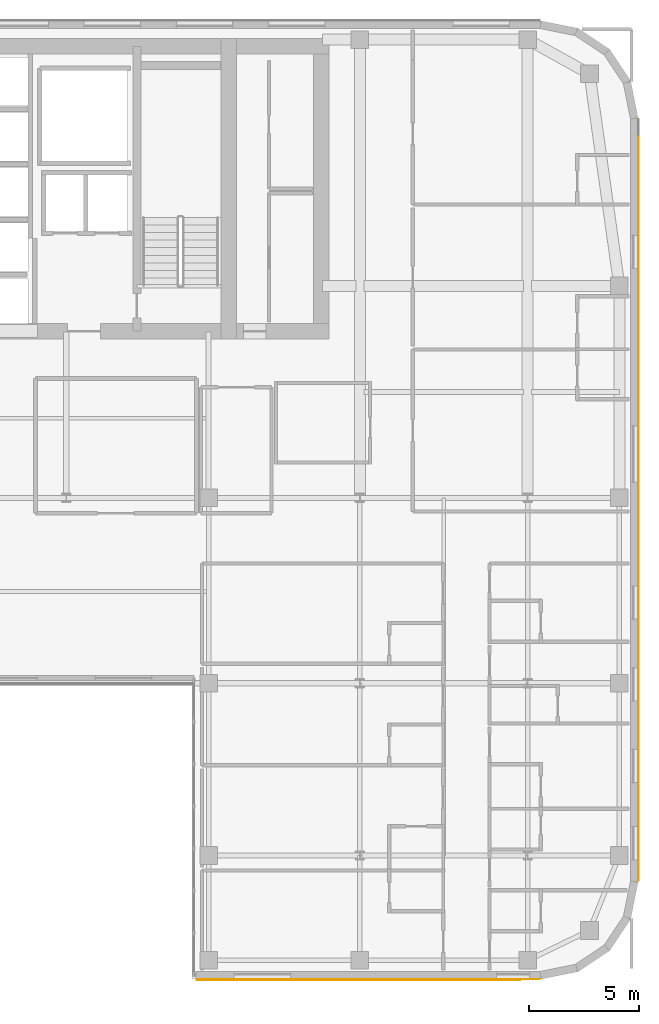
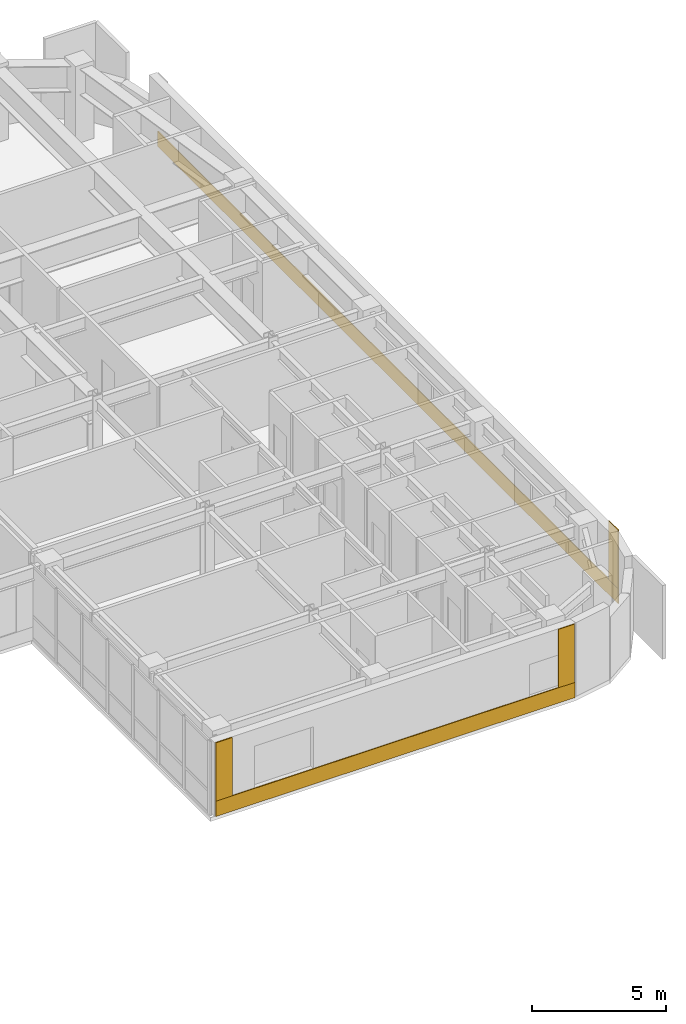
# One storey, part 19 of 21: 5 coverings.
"""IFC4 building model written with IfcOpenShell, lengths in metres."""

import ifcopenshell
import ifcopenshell.guid

model = None  # the IFC model being written
_history = None  # IfcOwnerHistory: only IFC2X3 demands one
_inside = {}  # id of a spatial element -> (the spatial element, [elements in it])
_under = {}  # id of a project, library or spatial element -> (it, [spatial elements below it])
_declared = {}  # id of a project -> (the project, [libraries it declares])
_typed = {}  # id of a type object -> (the type object, [elements of that type])
_made_of = {}  # id of a material, layer set ... -> (it, [elements and type objects made of it])


def new_model(schema):
    """Start an empty IFC model of exactly this schema.

    Asked for "IFC4X3", IfcOpenShell would pick the latest addendum, in which some entities
    have other attributes; the version numbers below select the first issue.
    IFC2X3 requires an IfcOwnerHistory on every rooted entity: one is made here for all.
    """
    global model, _history
    if schema == "IFC4X3":
        model = ifcopenshell.file(schema_version=(4, 3, 0, 0))
    else:
        model = ifcopenshell.file(schema=schema)
    _inside.clear()
    _under.clear()
    _declared.clear()
    _typed.clear()
    _made_of.clear()
    _history = None
    if model.schema == "IFC2X3":
        org = make("IfcOrganization", Name="unknown")
        user = make(
            "IfcPersonAndOrganization",
            ThePerson=make("IfcPerson", FamilyName="unknown"),
            TheOrganization=org,
        )
        app = make(
            "IfcApplication",
            ApplicationDeveloper=org,
            Version="unknown",
            ApplicationFullName="unknown",
            ApplicationIdentifier="unknown",
        )
        _history = make(
            "IfcOwnerHistory",
            OwningUser=user,
            OwningApplication=app,
            ChangeAction="ADDED",
            CreationDate=0,
        )
    return model


def make(cls, **values):
    """One entity of the class cls with the attributes given. An attribute that is None is left unset."""
    return model.create_entity(
        cls, **{name: value for name, value in values.items() if value is not None}
    )


def rooted(cls, **values):
    """An entity with a GlobalId (a new one), such as an element, a storey or a relation."""
    return make(cls, GlobalId=ifcopenshell.guid.new(), OwnerHistory=_history, **values)


def si_unit(unit_type, name, prefix=None):
    """IfcSIUnit, for example si_unit("LENGTHUNIT", "METRE", prefix="MILLI")."""
    return make("IfcSIUnit", UnitType=unit_type, Prefix=prefix, Name=name)


def assignment(units):
    """IfcUnitAssignment: the units of a project."""
    return None if units is None else make("IfcUnitAssignment", Units=units)


def point(xyz):
    """IfcCartesianPoint."""
    return None if xyz is None else make("IfcCartesianPoint", Coordinates=xyz)


def direction(xyz):
    """IfcDirection."""
    return None if xyz is None else make("IfcDirection", DirectionRatios=xyz)


def frame(location, z_axis=None, x_axis=None):
    """IfcAxis2Placement3D, a coordinate frame: its origin and axes. An axis left out is left unset."""
    return make(
        "IfcAxis2Placement3D",
        Location=point(location),
        Axis=direction(z_axis),
        RefDirection=direction(x_axis),
    )


def origin():
    """The frame at (0, 0, 0) with its axes left unset."""
    return frame((0.0, 0.0, 0.0))


def place(relative_to, where):
    """IfcLocalPlacement: puts the frame where relative to a parent placement (None: the world)."""
    return make(
        "IfcLocalPlacement", PlacementRelTo=relative_to, RelativePlacement=where
    )


def context(
    kind, dimensions, precision=None, world=None, true_north=None, identifier=None
):
    """IfcGeometricRepresentationContext, for example the 3D "Model" context."""
    return make(
        "IfcGeometricRepresentationContext",
        ContextIdentifier=identifier,
        ContextType=kind,
        CoordinateSpaceDimension=dimensions,
        Precision=precision,
        WorldCoordinateSystem=world,
        TrueNorth=true_north,
    )


def subcontext(parent, identifier, kind, view, scale=None):
    """IfcGeometricRepresentationSubContext, for example "Body" below "Model"."""
    return make(
        "IfcGeometricRepresentationSubContext",
        ContextIdentifier=identifier,
        ContextType=kind,
        ParentContext=parent,
        TargetScale=scale,
        TargetView=view,
    )


def project(units=None, contexts=None):
    """IfcProject with its units and contexts."""
    return rooted(
        "IfcProject",
        Name="project",
        RepresentationContexts=contexts,
        UnitsInContext=assignment(units),
    )


def spatial(cls, under=None, at=None, **own):
    """A site, building, storey or space (cls), placed at a placement, below another one or the project."""
    s = rooted(cls, ObjectPlacement=at, **own)
    if under is not None:
        _under.setdefault(under.id(), (under, []))[1].append(s)
    return s


def polyline(points):
    """IfcPolyline through the points."""
    return make("IfcPolyline", Points=[point(p) for p in points])


def outline(outer, holes=None, kind="AREA"):
    """IfcArbitraryClosedProfileDef: a profile drawn as a closed curve; with holes, ...WithVoids."""
    if holes is None:
        return make("IfcArbitraryClosedProfileDef", ProfileType=kind, OuterCurve=outer)
    return make(
        "IfcArbitraryProfileDefWithVoids",
        ProfileType=kind,
        OuterCurve=outer,
        InnerCurves=holes,
    )


def extrude(swept, where, along, depth):
    """IfcExtrudedAreaSolid: the profile swept, set in the frame where, extruded along a direction by depth."""
    return make(
        "IfcExtrudedAreaSolid",
        SweptArea=swept,
        Position=where,
        ExtrudedDirection=direction(along),
        Depth=depth,
    )


def shape(context_of_items, identifier, shape_type, items):
    """IfcShapeRepresentation: the items that make up one representation, for example the "Body"."""
    return make(
        "IfcShapeRepresentation",
        ContextOfItems=context_of_items,
        RepresentationIdentifier=identifier,
        RepresentationType=shape_type,
        Items=items,
    )


def material(Name=None, Category=None):
    """IfcMaterial."""
    return make("IfcMaterial", Name=Name, Category=Category)


def layer(
    of_material, thickness, ventilated=None, Name=None, Category=None, Priority=None
):
    """IfcMaterialLayer: one layer of a wall or slab, of a material (None: an air gap)."""
    return make(
        "IfcMaterialLayer",
        Material=of_material,
        LayerThickness=thickness,
        IsVentilated=ventilated,
        Name=Name,
        Category=Category,
        Priority=Priority,
    )


def layer_set(layers, Name=None):
    """IfcMaterialLayerSet."""
    return make("IfcMaterialLayerSet", MaterialLayers=layers, LayerSetName=Name)


def made_of(thing, what):
    """Note that an element or type object is made of a material, layer set ...; save() writes the relation."""
    if what is not None:
        _made_of.setdefault(what.id(), (what, []))[1].append(thing)
    return thing


def type_object(cls, material=None, **own):
    """A type object (cls), such as IfcWallType, which elements share."""
    return made_of(rooted(cls, **own), material)


def element(
    cls,
    number,
    at=None,
    inside=None,
    cuts=None,
    type_object=None,
    material=None,
    context=None,
    identifier="Body",
    shape_type=None,
    held_by="IfcProductDefinitionShape",
    body=None,
    shapes=None,
    **own,
):
    """One element of the class cls, such as IfcWall. Its Tag is "e" and its number.

    at: its placement. inside: the storey or other place that contains it. cuts: it is an
    opening in that element (IfcRelVoidsElement). A single representation is given by context,
    identifier, shape_type and body (its items); several are given by shapes. held_by: the class
    of the entity that holds the representations. save() writes the other relations.
    """
    e = rooted(cls, Tag="e%d" % number, ObjectPlacement=at, **own)
    if body is not None:
        shapes = [shape(context, identifier, shape_type, body)]
    if shapes is not None:
        e.Representation = make(held_by, Representations=shapes)
    if inside is not None:
        _inside.setdefault(inside.id(), (inside, []))[1].append(e)
    if cuts is not None:
        rooted(
            "IfcRelVoidsElement", RelatingBuildingElement=cuts, RelatedOpeningElement=e
        )
    if type_object is not None:
        _typed.setdefault(type_object.id(), (type_object, []))[1].append(e)
    return made_of(e, material)


def aggregate(whole, parts):
    """IfcRelAggregates: a whole, such as a stair, and the parts it consists of."""
    return rooted("IfcRelAggregates", RelatingObject=whole, RelatedObjects=parts)


def save(model, path):
    """Write the relations noted so far, then the file.

    IfcRelAggregates (storeys below a building ...), IfcRelContainedInSpatialStructure (elements
    in a storey), IfcRelDefinesByType, IfcRelAssociatesMaterial and IfcRelDeclares: one each for
    every whole, place, type object, material and project.
    """
    for whole, parts in _under.values():
        aggregate(whole, parts)
    for where, things in _inside.values():
        rooted(
            "IfcRelContainedInSpatialStructure",
            RelatedElements=things,
            RelatingStructure=where,
        )
    for kind, things in _typed.values():
        rooted("IfcRelDefinesByType", RelatedObjects=things, RelatingType=kind)
    for what, things in _made_of.values():
        rooted("IfcRelAssociatesMaterial", RelatedObjects=things, RelatingMaterial=what)
    for by, libraries in _declared.values():
        rooted("IfcRelDeclares", RelatingContext=by, RelatedDefinitions=libraries)
    model.write(path)


model = new_model("IFC4")

# Units and contexts
model_context = context("Model", 3, precision=1e-05, world=origin(), true_north=direction((0.0, 1.0)))
body_context = subcontext(model_context, "Body", "Model", "MODEL_VIEW")
ifc_project = project(units=[si_unit("LENGTHUNIT", "METRE"), si_unit("AREAUNIT", "SQUARE_METRE"), si_unit("VOLUMEUNIT", "CUBIC_METRE"), si_unit("PLANEANGLEUNIT", "RADIAN"), si_unit("MASSUNIT", "GRAM", prefix="KILO")], contexts=[model_context])

# Site, building, storey
site_placement = place(None, origin())
site = spatial("IfcSite", under=ifc_project, at=site_placement, CompositionType="ELEMENT")
building_placement = place(site_placement, origin())
building = spatial("IfcBuilding", under=site, at=building_placement, Name="Tolvann Quenvar Hotel", CompositionType="ELEMENT")
storey_placement = place(building_placement, frame((0.0, 0.0, 161.25)))
storey = spatial("IfcBuildingStorey", under=building, at=storey_placement, Name="L42", CompositionType="ELEMENT", Elevation=161.25)

# Coverings
ifc_material_1 = material(Name="Kiln-fired red architectural face brick cladding", Category="masonry")
ifc_layer_1 = layer(ifc_material_1, 0.0400390625)
ifc_layer_set_1 = layer_set([ifc_layer_1], Name="Kiln-fired red architectural face brick cladding")
covering_type_1 = type_object("IfcCoveringType", Name="COV_CLAD_BRICK_40", PredefinedType="CLADDING", material=ifc_layer_set_1)
covering_1_placement = place(storey_placement, frame((0.0, 0.0, 0.699951171875)))
element("IfcCovering", 1, at=covering_1_placement, inside=storey, type_object=covering_type_1, Name="Brick Pier Cladding (L42-E08-P1)", PredefinedType="CLADDING", context=body_context, shape_type="SweptSolid", body=[
    extrude(outline(polyline([(34.425048828125, 2.60009765625), (35.125, 2.60009765625), (35.125, 2.56005859375), (34.425048828125, 2.56005859375), (34.425048828125, 2.60009765625)])), origin(), (0.0, 0.0, 1.0), 2.670166015625),
])
covering_2_placement = place(storey_placement, frame((0.0, 0.0, 0.699951171875)))
element("IfcCovering", 2, at=covering_2_placement, inside=storey, type_object=covering_type_1, Name="Brick Pier Cladding (L42-E08-P2)", PredefinedType="CLADDING", context=body_context, shape_type="SweptSolid", body=[
    extrude(outline(polyline([(49.23291015625, 2.60009765625), (49.932861328125, 2.60009765625), (49.932861328125, 2.56005859375), (49.23291015625, 2.56005859375), (49.23291015625, 2.60009765625)])), origin(), (0.0, 0.0, 1.0), 2.670166015625),
])
covering_3_placement = place(storey_placement, frame((0.0, 0.0, 0.699951171875)))
element("IfcCovering", 3, at=covering_3_placement, inside=storey, type_object=covering_type_1, Name="Brick Pier Cladding (L42-E13-P1)", PredefinedType="CLADDING", context=body_context, shape_type="SweptSolid", body=[
    extrude(outline(polyline([(54.39990234375, 7.067138671875), (54.39990234375, 7.76708984375), (54.43994140625, 7.76708984375), (54.43994140625, 7.067138671875), (54.39990234375, 7.067138671875)])), origin(), (0.0, 0.0, 1.0), 2.670166015625),
])
ifc_material_2 = material(Name="Moulded buff architectural terracotta spandrel cladding", Category="masonry")
ifc_layer_2 = layer(ifc_material_2, 0.0400390625)
ifc_layer_set_2 = layer_set([ifc_layer_2], Name="Moulded buff architectural terracotta spandrel cladding")
covering_type_2 = type_object("IfcCoveringType", Name="COV_CLAD_TERRA_40", PredefinedType="CLADDING", material=ifc_layer_set_2)
covering_4_placement = place(storey_placement, origin())
element("IfcCovering", 4, at=covering_4_placement, inside=storey, type_object=covering_type_2, Name="Terracotta Spandrel Cladding (L42-E08)", PredefinedType="CLADDING", context=body_context, shape_type="SweptSolid", body=[
    extrude(outline(polyline([(34.4150390625, 2.60009765625), (49.94287109375, 2.60009765625), (49.94287109375, 2.56005859375), (34.4150390625, 2.56005859375), (34.4150390625, 2.60009765625)])), origin(), (0.0, 0.0, 1.0), 0.699951171875),
])
covering_5_placement = place(storey_placement, origin())
element("IfcCovering", 5, at=covering_5_placement, inside=storey, type_object=covering_type_2, Name="Terracotta Spandrel Cladding (L42-E13)", PredefinedType="CLADDING", context=body_context, shape_type="SweptSolid", body=[
    extrude(outline(polyline([(54.39990234375, 7.05712890625), (54.39990234375, 41.542724609375), (54.43994140625, 41.542724609375), (54.43994140625, 7.05712890625), (54.39990234375, 7.05712890625)])), origin(), (0.0, 0.0, 1.0), 0.699951171875),
])

save(model, "model.ifc")
